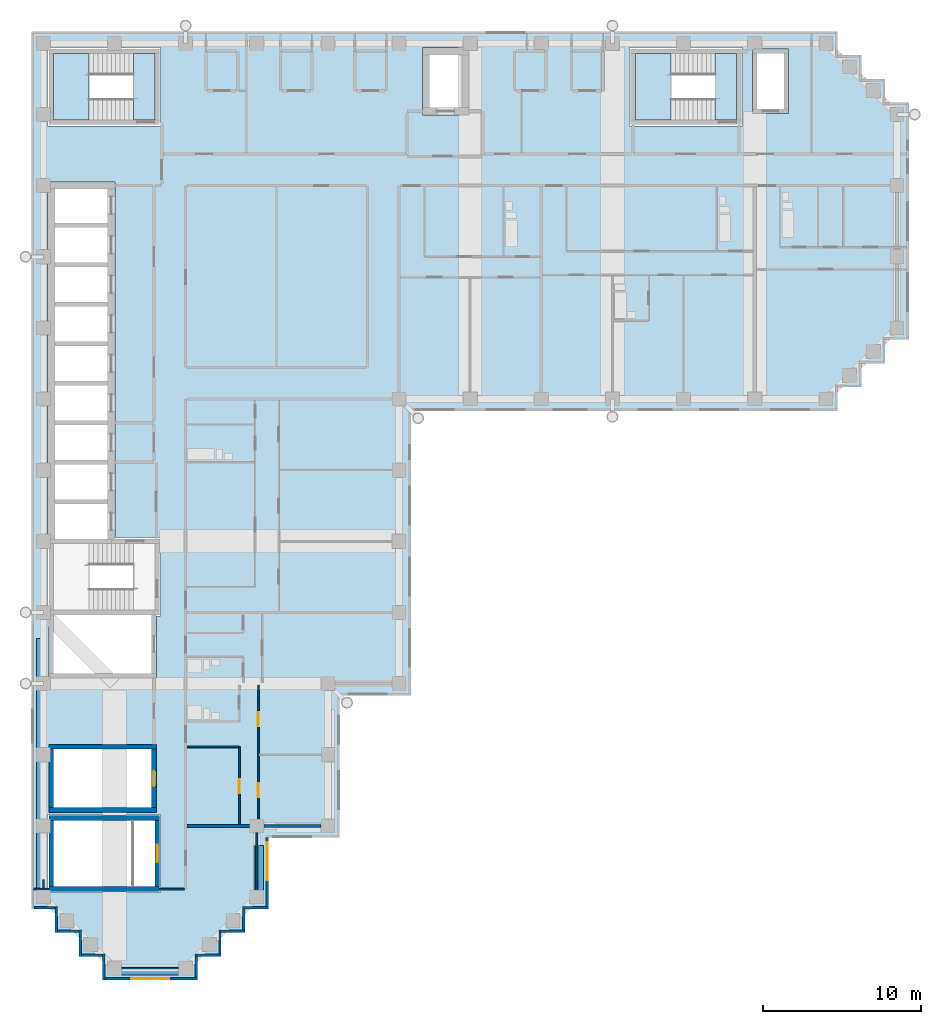
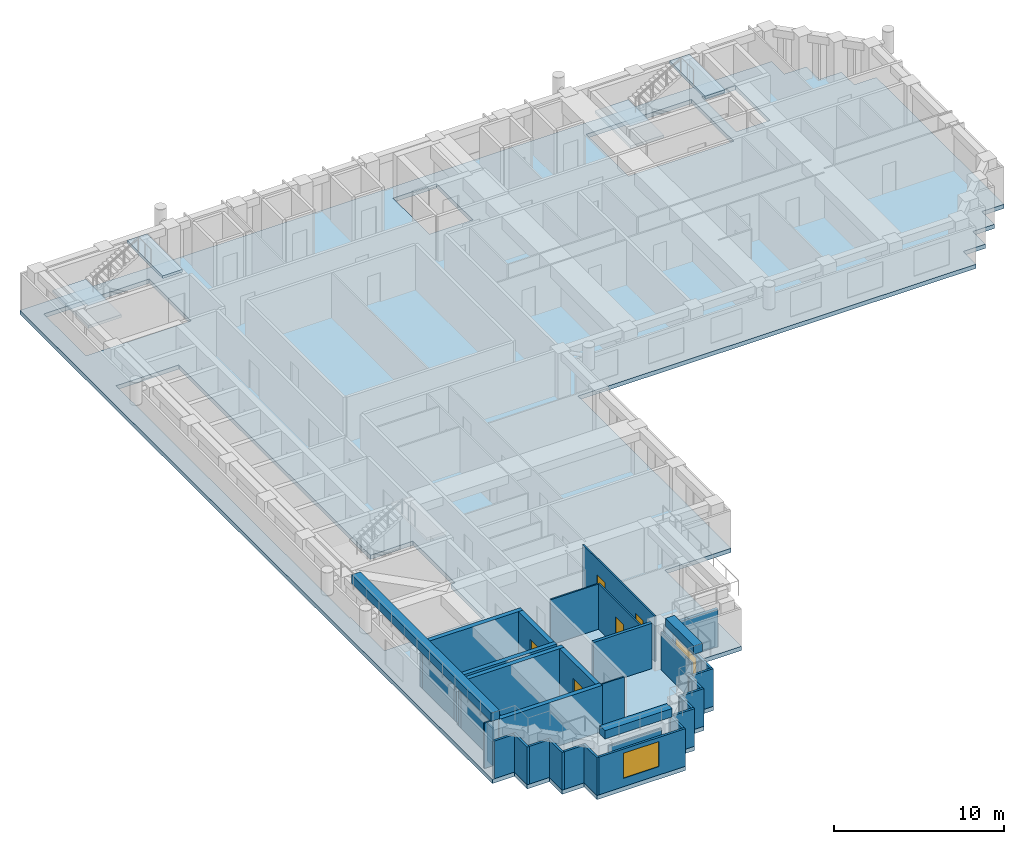
# One storey, part 2 of 11: 35 walls, 5 doors, 5 slabs, 2 windows, 7 openings, 2 elements without a shape of their own.
"""IFC4 building model written with IfcOpenShell, lengths in metres."""

from ifc_helpers import new_model, si_unit, direction, frame, frame_2d, origin, place, context, subcontext, project, spatial, polyline, rectangle, outline, extrude, material, layer, layer_set, type_object, element, fill, aggregate, save


model = new_model("IFC4")

# Units and contexts
model_context = context("Model", 3, precision=1e-05, world=origin(), true_north=direction((0.0, 1.0)))
body_context = subcontext(model_context, "Body", "Model", "MODEL_VIEW")
ifc_project = project(units=[si_unit("LENGTHUNIT", "METRE"), si_unit("AREAUNIT", "SQUARE_METRE"), si_unit("VOLUMEUNIT", "CUBIC_METRE"), si_unit("PLANEANGLEUNIT", "RADIAN"), si_unit("MASSUNIT", "GRAM", prefix="KILO")], contexts=[model_context])

# Site, building, storey
site_placement = place(None, origin())
site = spatial("IfcSite", under=ifc_project, at=site_placement, CompositionType="ELEMENT")
building_placement = place(site_placement, origin())
building = spatial("IfcBuilding", under=site, at=building_placement, Name="Firuza Court", CompositionType="ELEMENT")
storey_placement = place(building_placement, frame((0.0, 0.0, 207.800048828125)))
storey = spatial("IfcBuildingStorey", under=building, at=storey_placement, Name="L53", CompositionType="ELEMENT", Elevation=207.800048828125)

# Slab
ifc_material_1 = material(Name="Concrete C40/50", Category="concrete")
ifc_layer_1 = layer(ifc_material_1, 0.300048828125)
ifc_layer_set_1 = layer_set([ifc_layer_1], Name="Concrete C40/50")
slab_type_1 = type_object("IfcSlabType", Name="Floor slab 300 C40/50", PredefinedType="FLOOR", material=ifc_layer_set_1)
slab_1_placement = place(storey_placement, frame((0.0, 0.0, -0.300048828125)))
element("IfcSlab", 1, at=slab_1_placement, inside=storey, type_object=slab_type_1, Name="Floor slab L53", PredefinedType="FLOOR", context=body_context, shape_type="SweptSolid", body=[
    extrude(outline(polyline([(-0.75, 59.25), (50.25, 59.25), (50.25, 57.75), (51.75, 57.75), (51.75, 56.25), (53.25, 56.25), (53.25, 54.75), (54.75, 54.75), (54.75, 39.75), (53.25, 39.75), (53.25, 38.25), (51.75, 38.25), (51.75, 36.75), (50.25, 36.75), (50.25, 35.25), (23.25, 35.25), (23.25, 17.25), (18.75, 17.25), (18.75, 8.25), (14.25, 8.25), (14.25, 3.75), (12.75, 3.75), (12.75, 2.25), (11.25, 2.25), (11.25, 0.75), (9.75, 0.75), (9.75, -0.75), (3.75, -0.75), (3.75, 0.75), (2.25, 0.75), (2.25, 2.25), (0.75, 2.25), (0.75, 3.75), (-0.75, 3.75), (-0.75, 59.25)]), holes=[polyline([(0.27490234375, 29.72509765625), (0.27490234375, 29.27490234375), (0.27490234375, 27.22509765625), (0.27490234375, 26.77490234375), (0.27490234375, 22.27490234375), (0.35009765625, 22.27490234375), (0.35009765625, 18.35009765625), (7.14990234375, 18.35009765625), (7.14990234375, 22.27490234375), (7.425048828125, 22.27490234375), (7.425048828125, 27.22509765625), (4.52490234375, 27.22509765625), (4.52490234375, 29.27490234375), (4.52490234375, 29.72509765625), (4.52490234375, 31.77490234375), (4.52490234375, 32.22509765625), (4.52490234375, 34.27490234375), (4.52490234375, 34.72509765625), (4.52490234375, 36.77490234375), (4.52490234375, 37.22509765625), (4.52490234375, 39.27490234375), (4.52490234375, 39.72509765625), (4.52490234375, 41.77490234375), (4.52490234375, 42.22509765625), (4.52490234375, 44.27490234375), (4.52490234375, 44.72509765625), (4.52490234375, 46.77490234375), (4.52490234375, 47.22509765625), (4.52490234375, 49.72509765625), (0.27490234375, 49.72509765625), (0.27490234375, 47.22509765625), (0.27490234375, 46.77490234375), (0.27490234375, 44.72509765625), (0.27490234375, 44.27490234375), (0.27490234375, 42.22509765625), (0.27490234375, 41.77490234375), (0.27490234375, 39.72509765625), (0.27490234375, 39.27490234375), (0.27490234375, 37.22509765625), (0.27490234375, 36.77490234375), (0.27490234375, 34.72509765625), (0.27490234375, 34.27490234375), (0.27490234375, 32.22509765625), (0.27490234375, 31.77490234375), (0.27490234375, 29.72509765625)]), polyline([(7.425048828125, 9.72509765625), (0.27490234375, 9.72509765625), (0.27490234375, 4.77490234375), (7.425048828125, 4.77490234375), (7.425048828125, 9.72509765625)]), polyline([(7.14990234375, 14.14990234375), (0.35009765625, 14.14990234375), (0.35009765625, 9.85009765625), (7.14990234375, 9.85009765625), (7.14990234375, 14.14990234375)]), polyline([(7.425048828125, 58.22509765625), (0.27490234375, 58.22509765625), (0.27490234375, 53.27490234375), (7.425048828125, 53.27490234375), (7.425048828125, 58.22509765625)]), polyline([(44.22509765625, 58.22509765625), (37.074951171875, 58.22509765625), (37.074951171875, 53.27490234375), (44.22509765625, 53.27490234375), (44.22509765625, 58.22509765625)]), polyline([(26.925048828125, 53.97509765625), (26.925048828125, 58.22509765625), (23.97509765625, 58.22509765625), (23.97509765625, 53.97509765625), (26.925048828125, 53.97509765625)]), polyline([(47.14990234375, 54.050048828125), (47.14990234375, 58.14990234375), (44.85009765625, 58.14990234375), (44.85009765625, 54.050048828125), (47.14990234375, 54.050048828125)])]), origin(), (0.0, 0.0, 1.0), 0.300048828125),
])

# Stair, slabs
ifc_material_2 = material(Name="Concrete C40/50 precast", Category="concrete")
stair_type = type_object("IfcStairType", Name="Stair 1350 x 3600 2 flights", PredefinedType="HALF_TURN_STAIR", material=ifc_material_2)
stair_1_placement = place(storey_placement, origin())
stair_1 = element("IfcStair", 2, at=stair_1_placement, inside=storey, type_object=stair_type, Name="Stair 1 L53", PredefinedType="HALF_TURN_STAIR")
ifc_material_3 = material(Name="Concrete C40/50 precast", Category="concrete")
ifc_layer_2 = layer(ifc_material_3, 0.199951171875)
ifc_layer_set_2 = layer_set([ifc_layer_2], Name="Concrete C40/50 precast")
slab_type_2 = type_object("IfcSlabType", Name="Stair landing 200", PredefinedType="LANDING", material=ifc_layer_set_2)
slab_2_placement = place(storey_placement, frame((0.0, 0.0, 1.599853515625)))
slab_2 = element("IfcSlab", 3, at=slab_2_placement, type_object=slab_type_2, Name="S1 landing 1", PredefinedType="LANDING", context=body_context, shape_type="SweptSolid", body=[
    extrude(outline(polyline([(39.699951171875, 53.64990234375), (39.699951171875, 57.85009765625), (37.449951171875, 57.85009765625), (37.449951171875, 53.64990234375), (39.699951171875, 53.64990234375)])), origin(), (0.0, 0.0, 1.0), 0.2001953125),
])
slab_3_placement = place(storey_placement, frame((0.0, 0.0, 3.39990234375)))
slab_3 = element("IfcSlab", 4, at=slab_3_placement, type_object=slab_type_2, Name="S1 landing 2", PredefinedType="LANDING", context=body_context, shape_type="SweptSolid", body=[
    extrude(outline(polyline([(43.85009765625, 53.64990234375), (43.85009765625, 57.85009765625), (42.5, 57.85009765625), (42.5, 53.64990234375), (43.85009765625, 53.64990234375)])), origin(), (0.0, 0.0, 1.0), 0.199951171875),
])
aggregate(stair_1, [slab_2, slab_3])

stair_2_placement = place(storey_placement, origin())
stair_2 = element("IfcStair", 5, at=stair_2_placement, inside=storey, type_object=stair_type, Name="Stair 3 L53", PredefinedType="HALF_TURN_STAIR")
slab_4_placement = place(storey_placement, frame((0.0, 0.0, 1.599853515625)))
slab_4 = element("IfcSlab", 6, at=slab_4_placement, type_object=slab_type_2, Name="S3 landing 1", PredefinedType="LANDING", context=body_context, shape_type="SweptSolid", body=[
    extrude(outline(polyline([(2.89990234375, 53.64990234375), (2.89990234375, 57.85009765625), (0.64990234375, 57.85009765625), (0.64990234375, 53.64990234375), (2.89990234375, 53.64990234375)])), origin(), (0.0, 0.0, 1.0), 0.2001953125),
])
slab_5_placement = place(storey_placement, frame((0.0, 0.0, 3.39990234375)))
slab_5 = element("IfcSlab", 7, at=slab_5_placement, type_object=slab_type_2, Name="S3 landing 2", PredefinedType="LANDING", context=body_context, shape_type="SweptSolid", body=[
    extrude(outline(polyline([(7.050048828125, 53.64990234375), (7.050048828125, 57.85009765625), (5.699951171875, 57.85009765625), (5.699951171875, 53.64990234375), (7.050048828125, 53.64990234375)])), origin(), (0.0, 0.0, 1.0), 0.199951171875),
])
aggregate(stair_2, [slab_4, slab_5])

# Walls
ifc_material_4 = material(Name="Concrete C50/60", Category="concrete")
ifc_layer_3 = layer(ifc_material_4, 0.300048828125)
ifc_layer_set_3 = layer_set([ifc_layer_3], Name="Concrete C50/60")
wall_type_1 = type_object("IfcWallType", Name="Core wall 300 C50/60", PredefinedType="SHEAR", material=ifc_layer_set_3)
for number, where, z_axis, x_axis, name in (
    (8, (0.35009765625, 5.0, -0.300048828125), (0.0, 0.0, 1.0), (1.0, 0.0, 0.0), "Core wall stair L53"),
    (9, (0.35009765625, 9.5, -0.300048828125), (0.0, 0.0, 1.0), (1.0, 0.0, 0.0), "Core wall stair L53"),
):
    element("IfcWall", number, at=place(storey_placement, frame(where, z_axis=z_axis, x_axis=x_axis)), inside=storey, type_object=wall_type_1, Name=name, PredefinedType="SHEAR", context=body_context, shape_type="SweptSolid", body=[
        extrude(rectangle(XDim=7.0, YDim=0.300048828125, at=frame_2d((3.5, 0.0))), origin(), (0.0, 0.0, 1.0), 3.550048828125),
    ])
for number, where, z_axis, x_axis, name in (
    (10, (0.35009765625, 10.0, -0.300048828125), (0.0, 0.0, 1.0), (1.0, 0.0, 0.0), "Core wall riser L53"),
    (11, (0.35009765625, 14.0, -0.300048828125), (0.0, 0.0, 1.0), (1.0, 0.0, 0.0), "Core wall riser L53"),
):
    element("IfcWall", number, at=place(storey_placement, frame(where, z_axis=z_axis, x_axis=x_axis)), inside=storey, type_object=wall_type_1, Name=name, PredefinedType="SHEAR", context=body_context, shape_type="SweptSolid", body=[
        extrude(rectangle(XDim=6.7998046875, YDim=0.300048828125, at=frame_2d((3.39990234375, 0.0))), origin(), (0.0, 0.0, 1.0), 3.550048828125),
    ])
wall_1_placement = place(storey_placement, frame((0.5, 5.14990234375, -0.300048828125), z_axis=(0.0, 0.0, 1.0), x_axis=(0.0, 1.0, 0.0)))
element("IfcWall", 12, at=wall_1_placement, inside=storey, type_object=wall_type_1, Name="Core wall stair L53", PredefinedType="SHEAR", context=body_context, shape_type="SweptSolid", body=[
    extrude(rectangle(XDim=4.2001953125, YDim=0.300048828125, at=frame_2d((2.10009765625, 0.0))), origin(), (0.0, 0.0, 1.0), 3.550048828125),
])
wall_2_placement = place(storey_placement, frame((0.5, 10.14990234375, -0.300048828125), z_axis=(0.0, 0.0, 1.0), x_axis=(0.0, 1.0, 0.0)))
element("IfcWall", 13, at=wall_2_placement, inside=storey, type_object=wall_type_1, Name="Core wall riser L53", PredefinedType="SHEAR", context=body_context, shape_type="SweptSolid", body=[
    extrude(rectangle(XDim=3.7001953125, YDim=0.300048828125, at=frame_2d((1.85009765625, 0.0))), origin(), (0.0, 0.0, 1.0), 3.550048828125),
])

# Wall, opening, door
wall_3_placement = place(storey_placement, frame((7.0, 10.14990234375, -0.300048828125), z_axis=(0.0, 0.0, 1.0), x_axis=(0.0, 1.0, 0.0)))
wall_3 = element("IfcWall", 14, at=wall_3_placement, inside=storey, type_object=wall_type_1, Name="Core wall riser L53", PredefinedType="SHEAR", context=body_context, shape_type="SweptSolid", body=[
    extrude(rectangle(XDim=3.7001953125, YDim=0.300048828125, at=frame_2d((1.85009765625, 0.0))), origin(), (0.0, 0.0, 1.0), 3.550048828125),
])
opening_1_placement = place(wall_3_placement, frame((1.35009765625, 0.0, 0.300048828125)))
opening_1 = element("IfcOpeningElement", 15, at=opening_1_placement, cuts=wall_3, Name="Opening D53010", PredefinedType="OPENING", context=body_context, shape_type="SweptSolid", body=[
    extrude(rectangle(XDim=1.0, YDim=2.10009765625, at=frame_2d((0.5, 1.050048828125))), frame((0.0, 0.162109375, 0.0), z_axis=(0.0, -1.0, 0.0), x_axis=(1.0, 0.0, 0.0)), (0.0, 0.0, 1.0), 0.323974609375),
])
ifc_material_5 = material(Name="Timber door leaf in hardwood frame", Category="wood")
door_type_1 = type_object("IfcDoorType", Name="Riser door 1000", OperationType="SINGLE_SWING_LEFT", PredefinedType="DOOR", material=ifc_material_5)
door_1_placement = place(opening_1_placement, origin())
door_1 = element("IfcDoor", 16, at=door_1_placement, inside=storey, type_object=door_type_1, Name="Riser door R4", OperationType="SINGLE_SWING_LEFT", OverallHeight=2.10009765625, OverallWidth=1.0, PredefinedType="DOOR", context=body_context, shape_type="SweptSolid", body=[
    extrude(rectangle(XDim=1.0, YDim=2.10009765625, at=frame_2d((0.5, 1.050048828125))), frame((0.0, 0.02490234375, 0.0), z_axis=(0.0, -1.0, 0.0), x_axis=(1.0, 0.0, 0.0)), (0.0, 0.0, 1.0), 0.050048828125),
])
fill(opening_1, door_1)

wall_4_placement = place(storey_placement, frame((7.199951171875, 5.14990234375, -0.300048828125), z_axis=(0.0, 0.0, 1.0), x_axis=(0.0, 1.0, 0.0)))
wall_4 = element("IfcWall", 17, at=wall_4_placement, inside=storey, type_object=wall_type_1, Name="Core wall stair L53", PredefinedType="SHEAR", context=body_context, shape_type="SweptSolid", body=[
    extrude(rectangle(XDim=4.2001953125, YDim=0.300048828125, at=frame_2d((2.10009765625, 0.0))), origin(), (0.0, 0.0, 1.0), 3.550048828125),
])
opening_2_placement = place(wall_4_placement, frame((1.550048828125, 0.0, 0.300048828125)))
opening_2 = element("IfcOpeningElement", 18, at=opening_2_placement, cuts=wall_4, Name="Opening D53015", PredefinedType="OPENING", context=body_context, shape_type="SweptSolid", body=[
    extrude(rectangle(XDim=1.10009765625, YDim=2.10009765625, at=frame_2d((0.550048828125, 1.050048828125))), frame((0.0, 0.162109375, 0.0), z_axis=(0.0, -1.0, 0.0), x_axis=(1.0, 0.0, 0.0)), (0.0, 0.0, 1.0), 0.323974609375),
])
ifc_material_6 = material(Name="Timber door leaf in hardwood frame", Category="wood")
door_type_2 = type_object("IfcDoorType", Name="Stair door 1100", OperationType="SINGLE_SWING_LEFT", PredefinedType="DOOR", material=ifc_material_6)
door_2_placement = place(opening_2_placement, origin())
door_2 = element("IfcDoor", 19, at=door_2_placement, inside=storey, type_object=door_type_2, Name="Stair door S5", OperationType="SINGLE_SWING_LEFT", OverallHeight=2.10009765625, OverallWidth=1.10009765625, PredefinedType="DOOR", context=body_context, shape_type="SweptSolid", body=[
    extrude(rectangle(XDim=1.10009765625, YDim=2.10009765625, at=frame_2d((0.550048828125, 1.050048828125))), frame((0.0, 0.02490234375, 0.0), z_axis=(0.0, -1.0, 0.0), x_axis=(1.0, 0.0, 0.0)), (0.0, 0.0, 1.0), 0.050048828125),
])
fill(opening_2, door_2)

# Walls
ifc_material_7 = material(Name="Timber stud partition, plasterboard both sides", Category="wood")
ifc_layer_4 = layer(ifc_material_7, 0.10009765625)
ifc_layer_set_4 = layer_set([ifc_layer_4], Name="Timber stud partition, plasterboard both sides")
wall_type_2 = type_object("IfcWallType", Name="Partition wall 100", PredefinedType="PARTITIONING", material=ifc_layer_set_4)
wall_5_placement = place(storey_placement, frame((4.949951171875, 0.0, 0.0), z_axis=(0.0, 0.0, 1.0), x_axis=(1.0, 0.0, 0.0)))
element("IfcWall", 20, at=wall_5_placement, inside=storey, type_object=wall_type_2, Name="Partition wall 100 L53", PredefinedType="PARTITIONING", context=body_context, shape_type="SweptSolid", body=[
    extrude(rectangle(XDim=3.60009765625, YDim=0.10009765625, at=frame_2d((1.800048828125, 0.0))), origin(), (0.0, 0.0, 1.0), 2.699951171875),
])
wall_6_placement = place(storey_placement, frame((0.0, 4.949951171875, 0.0), z_axis=(0.0, 0.0, 1.0), x_axis=(0.0, 1.0, 0.0)))
element("IfcWall", 21, at=wall_6_placement, inside=storey, type_object=wall_type_2, Name="Partition wall 100 L53", PredefinedType="PARTITIONING", context=body_context, shape_type="SweptSolid", body=[
    extrude(rectangle(XDim=0.650146484375, YDim=0.10009765625, at=frame_2d((0.3251953125, 0.0))), origin(), (0.0, 0.0, 1.0), 2.699951171875),
])
wall_7_placement = place(storey_placement, frame((13.5, 4.949951171875, 0.0), z_axis=(0.0, 0.0, 1.0), x_axis=(0.0, 1.0, 0.0)))
element("IfcWall", 22, at=wall_7_placement, inside=storey, type_object=wall_type_2, Name="Partition wall 100 L53", PredefinedType="PARTITIONING", context=body_context, shape_type="SweptSolid", body=[
    extrude(rectangle(XDim=3.60009765625, YDim=0.10009765625, at=frame_2d((1.800048828125, 0.0))), origin(), (0.0, 0.0, 1.0), 2.699951171875),
])
wall_8_placement = place(storey_placement, frame((-0.60009765625, 5.0, 0.0), z_axis=(0.0, 0.0, 1.0), x_axis=(1.0, 0.0, 0.0)))
element("IfcWall", 23, at=wall_8_placement, inside=storey, type_object=wall_type_2, Name="Partition wall 100 L53", PredefinedType="PARTITIONING", context=body_context, shape_type="SweptSolid", body=[
    extrude(rectangle(XDim=0.951171875, YDim=0.10009765625, at=frame_2d((0.4755859375, 0.0))), origin(), (0.0, 0.0, 1.0), 3.25),
])
wall_9_placement = place(storey_placement, frame((7.34912109375, 5.0, 0.0), z_axis=(0.0, 0.0, 1.0), x_axis=(1.0, 0.0, 0.0)))
element("IfcWall", 24, at=wall_9_placement, inside=storey, type_object=wall_type_2, Name="Partition wall 100 L53", PredefinedType="PARTITIONING", context=body_context, shape_type="SweptSolid", body=[
    extrude(rectangle(XDim=1.55078125, YDim=0.10009765625, at=frame_2d((0.775390625, 0.0))), origin(), (0.0, 0.0, 1.0), 3.25),
])

# Wall, opening, door
wall_10_placement = place(storey_placement, frame((12.39990234375, 9.10009765625, 0.0), z_axis=(0.0, 0.0, 1.0), x_axis=(0.0, 1.0, 0.0)))
wall_10 = element("IfcWall", 25, at=wall_10_placement, inside=storey, type_object=wall_type_2, Name="Partition wall 100 L53", PredefinedType="PARTITIONING", context=body_context, shape_type="SweptSolid", body=[
    extrude(rectangle(XDim=4.89990234375, YDim=0.10009765625, at=frame_2d((2.449951171875, 0.0))), origin(), (0.0, 0.0, 1.0), 3.25),
])
opening_3_placement = place(wall_10_placement, frame((1.949951171875, 0.0, 0.0)))
opening_3 = element("IfcOpeningElement", 26, at=opening_3_placement, cuts=wall_10, Name="Opening D53020", PredefinedType="OPENING", context=body_context, shape_type="SweptSolid", body=[
    extrude(rectangle(XDim=0.89990234375, YDim=2.10009765625, at=frame_2d((0.449951171875, 1.050048828125))), frame((0.0, 0.06201171875, 0.0), z_axis=(0.0, -1.0, 0.0), x_axis=(1.0, 0.0, 0.0)), (0.0, 0.0, 1.0), 0.1240234375),
])
ifc_material_8 = material(Name="Timber door leaf in hardwood frame", Category="wood")
door_type_3 = type_object("IfcDoorType", Name="Room door 900", OperationType="SINGLE_SWING_LEFT", PredefinedType="DOOR", material=ifc_material_8)
door_3_placement = place(opening_3_placement, origin())
door_3 = element("IfcDoor", 27, at=door_3_placement, inside=storey, type_object=door_type_3, Name="Kitchen door", OperationType="SINGLE_SWING_LEFT", OverallHeight=2.10009765625, OverallWidth=0.89990234375, PredefinedType="DOOR", context=body_context, shape_type="SweptSolid", body=[
    extrude(rectangle(XDim=0.89990234375, YDim=2.10009765625, at=frame_2d((0.449951171875, 1.050048828125))), frame((0.0, 0.02490234375, 0.0), z_axis=(0.0, -1.0, 0.0), x_axis=(1.0, 0.0, 0.0)), (0.0, 0.0, 1.0), 0.050048828125),
])
fill(opening_3, door_3)

# Wall, openings, doors
wall_11_placement = place(storey_placement, frame((13.60009765625, 9.449951171875, 0.0), z_axis=(0.0, 0.0, 1.0), x_axis=(0.0, 1.0, 0.0)))
wall_11 = element("IfcWall", 28, at=wall_11_placement, inside=storey, type_object=wall_type_2, Name="Partition wall 100 L53", PredefinedType="PARTITIONING", context=body_context, shape_type="SweptSolid", body=[
    extrude(rectangle(XDim=8.449951171875, YDim=0.10009765625, at=frame_2d((4.22509765625, 0.0))), origin(), (0.0, 0.0, 1.0), 3.25),
])
opening_4_placement = place(wall_11_placement, frame((1.35009765625, 0.0, 0.0)))
opening_4 = element("IfcOpeningElement", 29, at=opening_4_placement, cuts=wall_11, Name="Opening D53021", PredefinedType="OPENING", context=body_context, shape_type="SweptSolid", body=[
    extrude(rectangle(XDim=0.89990234375, YDim=2.10009765625, at=frame_2d((0.449951171875, 1.050048828125))), frame((0.0, 0.06201171875, 0.0), z_axis=(0.0, -1.0, 0.0), x_axis=(1.0, 0.0, 0.0)), (0.0, 0.0, 1.0), 0.1240234375),
])
opening_5_placement = place(wall_11_placement, frame((5.85009765625, 0.0, 0.0)))
opening_5 = element("IfcOpeningElement", 30, at=opening_5_placement, cuts=wall_11, Name="Opening D53022", PredefinedType="OPENING", context=body_context, shape_type="SweptSolid", body=[
    extrude(rectangle(XDim=0.89990234375, YDim=2.10009765625, at=frame_2d((0.449951171875, 1.050048828125))), frame((0.0, 0.06201171875, 0.0), z_axis=(0.0, -1.0, 0.0), x_axis=(1.0, 0.0, 0.0)), (0.0, 0.0, 1.0), 0.1240234375),
])
door_4_placement = place(opening_4_placement, frame((0.89990234375, 0.0, 0.0), z_axis=(0.0, 0.0, 1.0), x_axis=(-1.0, 0.0, 0.0)))
door_4 = element("IfcDoor", 31, at=door_4_placement, inside=storey, type_object=door_type_3, Name="Living room door", OperationType="SINGLE_SWING_RIGHT", OverallHeight=2.10009765625, OverallWidth=0.89990234375, PredefinedType="DOOR", context=body_context, shape_type="SweptSolid", body=[
    extrude(rectangle(XDim=0.89990234375, YDim=2.10009765625, at=frame_2d((0.449951171875, 1.050048828125))), frame((0.0, 0.02490234375, 0.0), z_axis=(0.0, -1.0, 0.0), x_axis=(1.0, 0.0, 0.0)), (0.0, 0.0, 1.0), 0.050048828125),
])
fill(opening_4, door_4)
door_5_placement = place(opening_5_placement, frame((0.89990234375, 0.0, 0.0), z_axis=(0.0, 0.0, 1.0), x_axis=(-1.0, 0.0, 0.0)))
door_5 = element("IfcDoor", 32, at=door_5_placement, inside=storey, type_object=door_type_3, Name="Bedroom door", OperationType="SINGLE_SWING_LEFT", OverallHeight=2.10009765625, OverallWidth=0.89990234375, PredefinedType="DOOR", context=body_context, shape_type="SweptSolid", body=[
    extrude(rectangle(XDim=0.89990234375, YDim=2.10009765625, at=frame_2d((0.449951171875, 1.050048828125))), frame((0.0, 0.02490234375, 0.0), z_axis=(0.0, -1.0, 0.0), x_axis=(1.0, 0.0, 0.0)), (0.0, 0.0, 1.0), 0.050048828125),
])
fill(opening_5, door_5)

# Walls
wall_12_placement = place(storey_placement, frame((9.10009765625, 14.0, 0.0), z_axis=(0.0, 0.0, 1.0), x_axis=(1.0, 0.0, 0.0)))
element("IfcWall", 33, at=wall_12_placement, inside=storey, type_object=wall_type_2, Name="Partition wall 100 L53", PredefinedType="PARTITIONING", context=body_context, shape_type="SweptSolid", body=[
    extrude(rectangle(XDim=3.25, YDim=0.10009765625, at=frame_2d((1.625, 0.0))), origin(), (0.0, 0.0, 1.0), 3.25),
])
ifc_material_9 = material(Name="Blockwork, plastered both sides", Category="masonry")
ifc_layer_5 = layer(ifc_material_9, 0.199951171875)
ifc_layer_set_5 = layer_set([ifc_layer_5], Name="Blockwork, plastered both sides")
wall_type_3 = type_object("IfcWallType", Name="Party wall 200", PredefinedType="PARTITIONING", material=ifc_layer_set_5)
wall_13_placement = place(storey_placement, frame((9.10009765625, 9.0, 0.0), z_axis=(0.0, 0.0, 1.0), x_axis=(1.0, 0.0, 0.0)))
element("IfcWall", 34, at=wall_13_placement, inside=storey, type_object=wall_type_3, Name="Party wall 200 L53", PredefinedType="PARTITIONING", context=body_context, shape_type="SweptSolid", body=[
    extrude(rectangle(XDim=3.949951171875, YDim=0.199951171875, at=frame_2d((1.97509765625, 0.0))), origin(), (0.0, 0.0, 1.0), 3.25),
])
wall_14_placement = place(storey_placement, frame((13.949951171875, 9.0, 0.0), z_axis=(0.0, 0.0, 1.0), x_axis=(1.0, 0.0, 0.0)))
element("IfcWall", 35, at=wall_14_placement, inside=storey, type_object=wall_type_3, Name="Party wall 200 L53", PredefinedType="PARTITIONING", context=body_context, shape_type="SweptSolid", body=[
    extrude(rectangle(XDim=3.60009765625, YDim=0.199951171875, at=frame_2d((1.800048828125, 0.0))), origin(), (0.0, 0.0, 1.0), 2.699951171875),
])
ifc_material_10 = material(Name="Ceramic tile", Category="ceramic")
ifc_layer_6 = layer(ifc_material_10, 0.02001953125)
ifc_material_11 = material(Name="Mineral wool insulation", Category="insulation")
ifc_layer_7 = layer(ifc_material_11, 0.050048828125)
ifc_layer_8 = layer(ifc_material_3, 0.080078125)
ifc_layer_set_6 = layer_set([ifc_layer_6, ifc_layer_7, ifc_layer_8], Name="Concrete C40/50 precast")
wall_type_4 = type_object("IfcWallType", Name="Precast cladding wall with turquoise TILE PANEL face 150", PredefinedType="STANDARD", material=ifc_layer_set_6)
wall_15_placement = place(storey_placement, frame((-0.60009765625, 3.824951171875, 0.0), z_axis=(0.0, 0.0, 1.0), x_axis=(1.0, 0.0, 0.0)))
element("IfcWall", 36, at=wall_15_placement, inside=storey, type_object=wall_type_4, Name="Facade wall L53 S", PredefinedType="STANDARD", context=body_context, shape_type="SweptSolid", body=[
    extrude(rectangle(XDim=1.35009765625, YDim=0.14990234375, at=frame_2d((0.675048828125, 0.0))), origin(), (0.0, 0.0, 1.0), 2.699951171875),
])
wall_16_placement = place(storey_placement, frame((0.824951171875, 3.89990234375, 0.0), z_axis=(0.0, 0.0, 1.0), x_axis=(0.0, -1.0, 0.0)))
element("IfcWall", 37, at=wall_16_placement, inside=storey, type_object=wall_type_4, Name="Facade wall L53 W", PredefinedType="STANDARD", context=body_context, shape_type="SweptSolid", body=[
    extrude(rectangle(XDim=1.64990234375, YDim=0.14990234375, at=frame_2d((0.824951171875, 0.0))), origin(), (0.0, 0.0, 1.0), 2.699951171875),
])
wall_17_placement = place(storey_placement, frame((0.89990234375, 2.324951171875, 0.0), z_axis=(0.0, 0.0, 1.0), x_axis=(1.0, 0.0, 0.0)))
element("IfcWall", 38, at=wall_17_placement, inside=storey, type_object=wall_type_4, Name="Facade wall L53 S", PredefinedType="STANDARD", context=body_context, shape_type="SweptSolid", body=[
    extrude(rectangle(XDim=1.35009765625, YDim=0.14990234375, at=frame_2d((0.675048828125, 0.0))), origin(), (0.0, 0.0, 1.0), 2.699951171875),
])
wall_18_placement = place(storey_placement, frame((2.324951171875, 2.39990234375, 0.0), z_axis=(0.0, 0.0, 1.0), x_axis=(0.0, -1.0, 0.0)))
element("IfcWall", 39, at=wall_18_placement, inside=storey, type_object=wall_type_4, Name="Facade wall L53 W", PredefinedType="STANDARD", context=body_context, shape_type="SweptSolid", body=[
    extrude(rectangle(XDim=1.64990234375, YDim=0.14990234375, at=frame_2d((0.824951171875, 0.0))), origin(), (0.0, 0.0, 1.0), 2.699951171875),
])
wall_19_placement = place(storey_placement, frame((2.39990234375, 0.824951171875, 0.0), z_axis=(0.0, 0.0, 1.0), x_axis=(1.0, 0.0, 0.0)))
element("IfcWall", 40, at=wall_19_placement, inside=storey, type_object=wall_type_4, Name="Facade wall L53 S", PredefinedType="STANDARD", context=body_context, shape_type="SweptSolid", body=[
    extrude(rectangle(XDim=1.35009765625, YDim=0.14990234375, at=frame_2d((0.675048828125, 0.0))), origin(), (0.0, 0.0, 1.0), 2.699951171875),
])
wall_20_placement = place(storey_placement, frame((3.824951171875, 0.89990234375, 0.0), z_axis=(0.0, 0.0, 1.0), x_axis=(0.0, -1.0, 0.0)))
element("IfcWall", 41, at=wall_20_placement, inside=storey, type_object=wall_type_4, Name="Facade wall L53 W", PredefinedType="STANDARD", context=body_context, shape_type="SweptSolid", body=[
    extrude(rectangle(XDim=1.64990234375, YDim=0.14990234375, at=frame_2d((0.824951171875, 0.0))), origin(), (0.0, 0.0, 1.0), 2.699951171875),
])

# Wall, opening, window
wall_21_placement = place(storey_placement, frame((3.89990234375, -0.675048828125, 0.0), z_axis=(0.0, 0.0, 1.0), x_axis=(1.0, 0.0, 0.0)))
wall_21 = element("IfcWall", 42, at=wall_21_placement, inside=storey, type_object=wall_type_4, Name="Facade wall L53 S", PredefinedType="STANDARD", context=body_context, shape_type="SweptSolid", body=[
    extrude(rectangle(XDim=5.85009765625, YDim=0.14990234375, at=frame_2d((2.925048828125, 0.0))), origin(), (0.0, 0.0, 1.0), 2.699951171875),
])
opening_6_placement = place(wall_21_placement, frame((1.64990234375, 0.0, 0.60009765625)))
opening_6 = element("IfcOpeningElement", 43, at=opening_6_placement, cuts=wall_21, Name="Opening W1", PredefinedType="OPENING", context=body_context, shape_type="SweptSolid", body=[
    extrude(rectangle(XDim=2.39990234375, YDim=1.800048828125, at=frame_2d((1.199951171875, 0.89990234375))), frame((0.0, 0.0869140625, 0.0), z_axis=(0.0, -1.0, 0.0), x_axis=(1.0, 0.0, 0.0)), (0.0, 0.0, 1.0), 0.173828125),
])
ifc_material_12 = material(Name="Aluminium frame, triple clear glazing", Category="aluminium")
window_type = type_object("IfcWindowType", Name="Window W1 2400 x 1800", PartitioningType="SINGLE_PANEL", PredefinedType="WINDOW", material=ifc_material_12)
window_1_placement = place(opening_6_placement, origin())
window_1 = element("IfcWindow", 44, at=window_1_placement, inside=storey, type_object=window_type, Name="Window L53", OverallHeight=1.800048828125, OverallWidth=2.39990234375, PartitioningType="SINGLE_PANEL", PredefinedType="WINDOW", context=body_context, shape_type="SweptSolid", body=[
    extrude(rectangle(XDim=2.39990234375, YDim=1.800048828125, at=frame_2d((1.199951171875, 0.89990234375))), frame((0.0, 0.030029296875, 0.0), z_axis=(0.0, -1.0, 0.0), x_axis=(1.0, 0.0, 0.0)), (0.0, 0.0, 1.0), 0.06005859375),
])
fill(opening_6, window_1)

# Walls
wall_22_placement = place(storey_placement, frame((9.675048828125, -0.60009765625, 0.0), z_axis=(0.0, 0.0, 1.0), x_axis=(0.0, 1.0, 0.0)))
element("IfcWall", 45, at=wall_22_placement, inside=storey, type_object=wall_type_4, Name="Facade wall L53 E", PredefinedType="STANDARD", context=body_context, shape_type="SweptSolid", body=[
    extrude(rectangle(XDim=1.35009765625, YDim=0.14990234375, at=frame_2d((0.675048828125, 0.0))), origin(), (0.0, 0.0, 1.0), 2.699951171875),
])
wall_23_placement = place(storey_placement, frame((9.60009765625, 0.824951171875, 0.0), z_axis=(0.0, 0.0, 1.0), x_axis=(1.0, 0.0, 0.0)))
element("IfcWall", 46, at=wall_23_placement, inside=storey, type_object=wall_type_4, Name="Facade wall L53 S", PredefinedType="STANDARD", context=body_context, shape_type="SweptSolid", body=[
    extrude(rectangle(XDim=1.64990234375, YDim=0.14990234375, at=frame_2d((0.824951171875, 0.0))), origin(), (0.0, 0.0, 1.0), 2.699951171875),
])
wall_24_placement = place(storey_placement, frame((11.175048828125, 0.89990234375, 0.0), z_axis=(0.0, 0.0, 1.0), x_axis=(0.0, 1.0, 0.0)))
element("IfcWall", 47, at=wall_24_placement, inside=storey, type_object=wall_type_4, Name="Facade wall L53 E", PredefinedType="STANDARD", context=body_context, shape_type="SweptSolid", body=[
    extrude(rectangle(XDim=1.35009765625, YDim=0.14990234375, at=frame_2d((0.675048828125, 0.0))), origin(), (0.0, 0.0, 1.0), 2.699951171875),
])
wall_25_placement = place(storey_placement, frame((11.10009765625, 2.324951171875, 0.0), z_axis=(0.0, 0.0, 1.0), x_axis=(1.0, 0.0, 0.0)))
element("IfcWall", 48, at=wall_25_placement, inside=storey, type_object=wall_type_4, Name="Facade wall L53 S", PredefinedType="STANDARD", context=body_context, shape_type="SweptSolid", body=[
    extrude(rectangle(XDim=1.64990234375, YDim=0.14990234375, at=frame_2d((0.824951171875, 0.0))), origin(), (0.0, 0.0, 1.0), 2.699951171875),
])
wall_26_placement = place(storey_placement, frame((12.675048828125, 2.39990234375, 0.0), z_axis=(0.0, 0.0, 1.0), x_axis=(0.0, 1.0, 0.0)))
element("IfcWall", 49, at=wall_26_placement, inside=storey, type_object=wall_type_4, Name="Facade wall L53 E", PredefinedType="STANDARD", context=body_context, shape_type="SweptSolid", body=[
    extrude(rectangle(XDim=1.35009765625, YDim=0.14990234375, at=frame_2d((0.675048828125, 0.0))), origin(), (0.0, 0.0, 1.0), 2.699951171875),
])
wall_27_placement = place(storey_placement, frame((12.60009765625, 3.824951171875, 0.0), z_axis=(0.0, 0.0, 1.0), x_axis=(1.0, 0.0, 0.0)))
element("IfcWall", 50, at=wall_27_placement, inside=storey, type_object=wall_type_4, Name="Facade wall L53 S", PredefinedType="STANDARD", context=body_context, shape_type="SweptSolid", body=[
    extrude(rectangle(XDim=1.64990234375, YDim=0.14990234375, at=frame_2d((0.824951171875, 0.0))), origin(), (0.0, 0.0, 1.0), 2.699951171875),
])

# Wall, opening, window
wall_28_placement = place(storey_placement, frame((14.175048828125, 3.89990234375, 0.0), z_axis=(0.0, 0.0, 1.0), x_axis=(0.0, 1.0, 0.0)))
wall_28 = element("IfcWall", 51, at=wall_28_placement, inside=storey, type_object=wall_type_4, Name="Facade wall L53 E", PredefinedType="STANDARD", context=body_context, shape_type="SweptSolid", body=[
    extrude(rectangle(XDim=4.35009765625, YDim=0.14990234375, at=frame_2d((2.175048828125, 0.0))), origin(), (0.0, 0.0, 1.0), 2.699951171875),
])
opening_7_placement = place(wall_28_placement, frame((1.64990234375, 0.0, 0.60009765625)))
opening_7 = element("IfcOpeningElement", 52, at=opening_7_placement, cuts=wall_28, Name="Opening W1", PredefinedType="OPENING", context=body_context, shape_type="SweptSolid", body=[
    extrude(rectangle(XDim=2.39990234375, YDim=1.800048828125, at=frame_2d((1.199951171875, 0.89990234375))), frame((0.0, 0.0869140625, 0.0), z_axis=(0.0, -1.0, 0.0), x_axis=(1.0, 0.0, 0.0)), (0.0, 0.0, 1.0), 0.173828125),
])
window_2_placement = place(opening_7_placement, origin())
window_2 = element("IfcWindow", 53, at=window_2_placement, inside=storey, type_object=window_type, Name="Window L53", OverallHeight=1.800048828125, OverallWidth=2.39990234375, PartitioningType="SINGLE_PANEL", PredefinedType="WINDOW", context=body_context, shape_type="SweptSolid", body=[
    extrude(rectangle(XDim=2.39990234375, YDim=1.800048828125, at=frame_2d((1.199951171875, 0.89990234375))), frame((0.0, 0.030029296875, 0.0), z_axis=(0.0, -1.0, 0.0), x_axis=(1.0, 0.0, 0.0)), (0.0, 0.0, 1.0), 0.06005859375),
])
fill(opening_7, window_2)

# Walls
ifc_layer_9 = layer(ifc_material_10, 0.02001953125)
ifc_layer_10 = layer(ifc_material_3, 0.14990234375)
ifc_material_13 = material(Name="Planting soil", Category="soil")
ifc_layer_11 = layer(ifc_material_13, 0.429931640625)
ifc_layer_set_7 = layer_set([ifc_layer_9, ifc_layer_10, ifc_layer_11], Name="Concrete C40/50 precast")
wall_type_5 = type_object("IfcWallType", Name="Terrace planter 600", PredefinedType="STANDARD", material=ifc_layer_set_7)
wall_29_placement = place(storey_placement, frame((13.6298828125, 7.77001953125, 3.599853515625), z_axis=(0.0, 0.0, 1.0), x_axis=(0.0, -1.0, 0.0)))
element("IfcWall", 54, at=wall_29_placement, inside=storey, type_object=wall_type_5, Name="PLANTER L53", PredefinedType="STANDARD", context=body_context, shape_type="SweptSolid", body=[
    extrude(rectangle(XDim=3.300048828125, YDim=0.60009765625, at=frame_2d((1.64990234375, 0.0))), origin(), (0.0, 0.0, 1.0), 0.60009765625),
])
wall_30_placement = place(storey_placement, frame((9.030029296875, -0.1298828125, 3.599853515625), z_axis=(0.0, 0.0, 1.0), x_axis=(-1.0, 0.0, 0.0)))
element("IfcWall", 55, at=wall_30_placement, inside=storey, type_object=wall_type_5, Name="PLANTER L53", PredefinedType="STANDARD", context=body_context, shape_type="SweptSolid", body=[
    extrude(rectangle(XDim=4.56005859375, YDim=0.60009765625, at=frame_2d((2.280029296875, 0.0))), origin(), (0.0, 0.0, 1.0), 0.60009765625),
])
wall_31_placement = place(storey_placement, frame((-0.1298828125, 4.469970703125, 3.599853515625), z_axis=(0.0, 0.0, 1.0), x_axis=(0.0, 1.0, 0.0)))
element("IfcWall", 56, at=wall_31_placement, inside=storey, type_object=wall_type_5, Name="PLANTER L53", PredefinedType="STANDARD", context=body_context, shape_type="SweptSolid", body=[
    extrude(rectangle(XDim=16.380126953125, YDim=0.60009765625, at=frame_2d((8.18994140625, 0.0))), origin(), (0.0, 0.0, 1.0), 0.60009765625),
])

save(model, "model.ifc")
